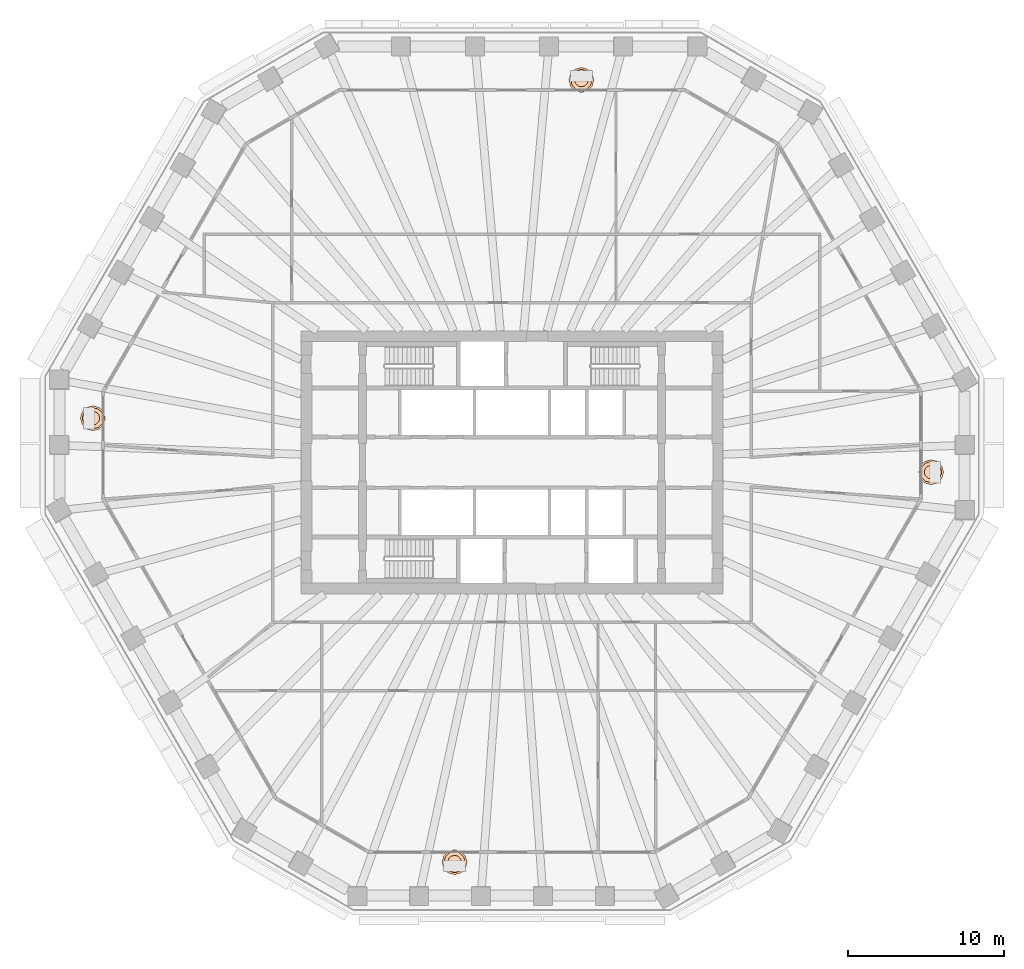
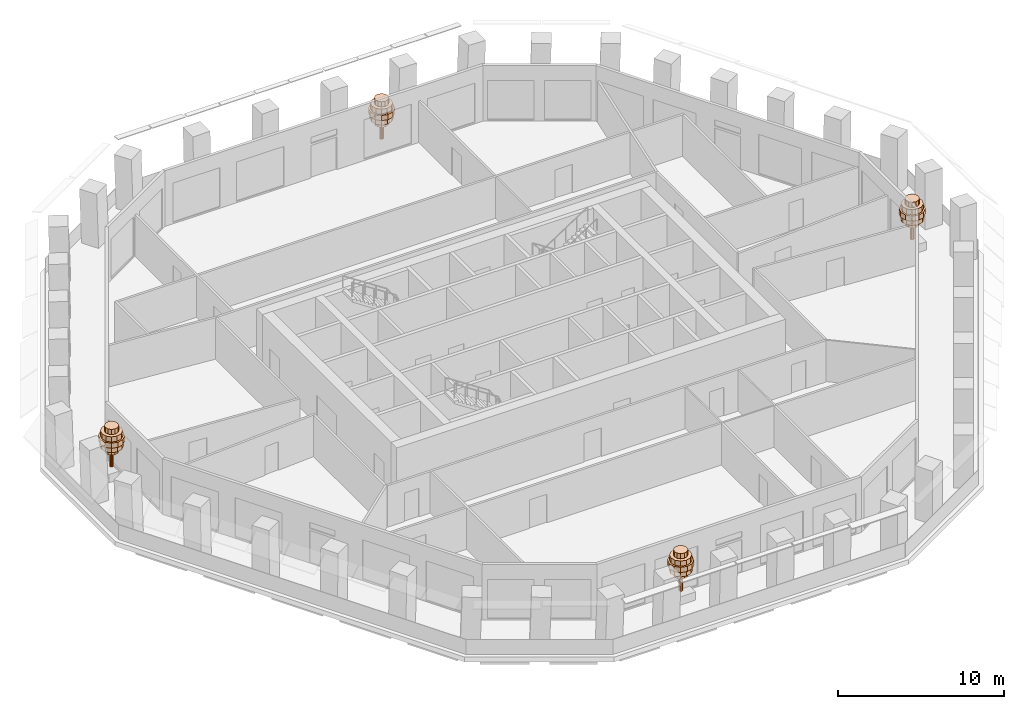
# One storey, part 12 of 12: 4 geographic elements.
"""IFC4 building model written with IfcOpenShell, lengths in metres."""

from ifc_helpers import new_model, si_unit, direction, frame, origin, place, context, subcontext, project, spatial, polyline, outline, extrude, material, type_object, element, save


model = new_model("IFC4")

# Units and contexts
model_context = context("Model", 3, precision=1e-05, world=origin(), true_north=direction((0.0, 1.0)))
body_context = subcontext(model_context, "Body", "Model", "MODEL_VIEW")
ifc_project = project(units=[si_unit("LENGTHUNIT", "METRE"), si_unit("AREAUNIT", "SQUARE_METRE"), si_unit("VOLUMEUNIT", "CUBIC_METRE"), si_unit("PLANEANGLEUNIT", "RADIAN"), si_unit("MASSUNIT", "GRAM", prefix="KILO")], contexts=[model_context])

# Site, building, storey
site_placement = place(None, origin())
site = spatial("IfcSite", under=ifc_project, at=site_placement, CompositionType="ELEMENT")
building_placement = place(site_placement, origin())
building = spatial("IfcBuilding", under=site, at=building_placement, Name="Frailejon Research Tower", CompositionType="ELEMENT")
storey_placement = place(building_placement, frame((0.0, 0.0, 180.39990234375)))
storey = spatial("IfcBuildingStorey", under=building, at=storey_placement, Name="L39", CompositionType="ELEMENT", Elevation=180.39990234375)

# Geographic elements
ifc_material = material(Name="Foliage, green")
geographic_element_type = type_object("IfcGeographicElementType", Name="Frailejon tree, loggia", PredefinedType="USERDEFINED", material=ifc_material)
geographic_element_1_placement = place(storey_placement, frame((26.901611328125, -0.625732421875, 0.60009765625)))
element("IfcGeographicElement", 1, at=geographic_element_1_placement, inside=storey, type_object=geographic_element_type, Name="Tree L39", ObjectType="TREE", PredefinedType="USERDEFINED", context=body_context, shape_type="SweptSolid", body=[
    extrude(outline(polyline([(0.1298828125, 0.0), (0.112548828125, 0.06494140625), (0.06494140625, 0.112548828125), (0.0, 0.1298828125), (-0.06494140625, 0.112548828125), (-0.112548828125, 0.06494140625), (-0.1298828125, 0.0), (-0.112548828125, -0.06494140625), (-0.06494140625, -0.112548828125), (0.0, -0.1298828125), (0.06494140625, -0.112548828125), (0.112548828125, -0.06494140625), (0.1298828125, 0.0)])), origin(), (0.0, 0.0, 1.0), 2.239990234375),
    extrude(outline(polyline([(0.43994140625, 0.0), (0.381103515625, 0.219970703125), (0.219970703125, 0.381103515625), (0.0, 0.43994140625), (-0.219970703125, 0.381103515625), (-0.381103515625, 0.219970703125), (-0.43994140625, 0.0), (-0.381103515625, -0.219970703125), (-0.219970703125, -0.381103515625), (0.0, -0.43994140625), (0.219970703125, -0.381103515625), (0.381103515625, -0.219970703125), (0.43994140625, 0.0)])), frame((0.0, 0.0, 1.10009765625)), (0.0, 0.0, 1.0), 0.3798828125),
    extrude(outline(polyline([(0.719970703125, 0.0), (0.62353515625, 0.360107421875), (0.360107421875, 0.62353515625), (0.0, 0.719970703125), (-0.360107421875, 0.62353515625), (-0.62353515625, 0.360107421875), (-0.719970703125, 0.0), (-0.62353515625, -0.360107421875), (-0.360107421875, -0.62353515625), (0.0, -0.719970703125), (0.360107421875, -0.62353515625), (0.62353515625, -0.360107421875), (0.719970703125, 0.0)])), frame((0.0, 0.0, 1.47998046875)), (0.0, 0.0, 1.0), 0.3798828125),
    extrude(outline(polyline([(0.800048828125, 0.0), (0.69287109375, 0.39990234375), (0.39990234375, 0.69287109375), (0.0, 0.800048828125), (-0.39990234375, 0.69287109375), (-0.69287109375, 0.39990234375), (-0.800048828125, 0.0), (-0.69287109375, -0.39990234375), (-0.39990234375, -0.69287109375), (0.0, -0.800048828125), (0.39990234375, -0.69287109375), (0.69287109375, -0.39990234375), (0.800048828125, 0.0)])), frame((0.0, 0.0, 1.860107421875)), (0.0, 0.0, 1.0), 0.3798828125),
    extrude(outline(polyline([(0.679931640625, 0.0), (0.5888671875, 0.340087890625), (0.340087890625, 0.5888671875), (0.0, 0.679931640625), (-0.340087890625, 0.5888671875), (-0.5888671875, 0.340087890625), (-0.679931640625, 0.0), (-0.5888671875, -0.340087890625), (-0.340087890625, -0.5888671875), (0.0, -0.679931640625), (0.340087890625, -0.5888671875), (0.5888671875, -0.340087890625), (0.679931640625, 0.0)])), frame((0.0, 0.0, 2.239990234375)), (0.0, 0.0, 1.0), 0.3798828125),
    extrude(outline(polyline([(0.43994140625, 0.0), (0.381103515625, 0.219970703125), (0.219970703125, 0.381103515625), (0.0, 0.43994140625), (-0.219970703125, 0.381103515625), (-0.381103515625, 0.219970703125), (-0.43994140625, 0.0), (-0.381103515625, -0.219970703125), (-0.219970703125, -0.381103515625), (0.0, -0.43994140625), (0.219970703125, -0.381103515625), (0.381103515625, -0.219970703125), (0.43994140625, 0.0)])), frame((0.0, 0.0, 2.6201171875)), (0.0, 0.0, 1.0), 0.3798828125),
])
geographic_element_2_placement = place(storey_placement, frame((4.45361328125, 24.550048828125, 0.60009765625)))
element("IfcGeographicElement", 2, at=geographic_element_2_placement, inside=storey, type_object=geographic_element_type, Name="Tree L39", ObjectType="TREE", PredefinedType="USERDEFINED", context=body_context, shape_type="SweptSolid", body=[
    extrude(outline(polyline([(0.1298828125, 0.0), (0.112548828125, 0.06494140625), (0.06494140625, 0.112548828125), (0.0, 0.1298828125), (-0.06494140625, 0.112548828125), (-0.112548828125, 0.06494140625), (-0.1298828125, 0.0), (-0.112548828125, -0.06494140625), (-0.06494140625, -0.112548828125), (0.0, -0.1298828125), (0.06494140625, -0.112548828125), (0.112548828125, -0.06494140625), (0.1298828125, 0.0)])), origin(), (0.0, 0.0, 1.0), 2.239990234375),
    extrude(outline(polyline([(0.43994140625, 0.0), (0.381103515625, 0.219970703125), (0.219970703125, 0.381103515625), (0.0, 0.43994140625), (-0.219970703125, 0.381103515625), (-0.381103515625, 0.219970703125), (-0.43994140625, 0.0), (-0.381103515625, -0.219970703125), (-0.219970703125, -0.381103515625), (0.0, -0.43994140625), (0.219970703125, -0.381103515625), (0.381103515625, -0.219970703125), (0.43994140625, 0.0)])), frame((0.0, 0.0, 1.10009765625)), (0.0, 0.0, 1.0), 0.3798828125),
    extrude(outline(polyline([(0.719970703125, 0.0), (0.62353515625, 0.360107421875), (0.360107421875, 0.62353515625), (0.0, 0.719970703125), (-0.360107421875, 0.62353515625), (-0.62353515625, 0.360107421875), (-0.719970703125, 0.0), (-0.62353515625, -0.360107421875), (-0.360107421875, -0.62353515625), (0.0, -0.719970703125), (0.360107421875, -0.62353515625), (0.62353515625, -0.360107421875), (0.719970703125, 0.0)])), frame((0.0, 0.0, 1.47998046875)), (0.0, 0.0, 1.0), 0.3798828125),
    extrude(outline(polyline([(0.800048828125, 0.0), (0.69287109375, 0.39990234375), (0.39990234375, 0.69287109375), (0.0, 0.800048828125), (-0.39990234375, 0.69287109375), (-0.69287109375, 0.39990234375), (-0.800048828125, 0.0), (-0.69287109375, -0.39990234375), (-0.39990234375, -0.69287109375), (0.0, -0.800048828125), (0.39990234375, -0.69287109375), (0.69287109375, -0.39990234375), (0.800048828125, 0.0)])), frame((0.0, 0.0, 1.860107421875)), (0.0, 0.0, 1.0), 0.3798828125),
    extrude(outline(polyline([(0.679931640625, 0.0), (0.5888671875, 0.340087890625), (0.340087890625, 0.5888671875), (0.0, 0.679931640625), (-0.340087890625, 0.5888671875), (-0.5888671875, 0.340087890625), (-0.679931640625, 0.0), (-0.5888671875, -0.340087890625), (-0.340087890625, -0.5888671875), (0.0, -0.679931640625), (0.340087890625, -0.5888671875), (0.5888671875, -0.340087890625), (0.679931640625, 0.0)])), frame((0.0, 0.0, 2.239990234375)), (0.0, 0.0, 1.0), 0.3798828125),
    extrude(outline(polyline([(0.43994140625, 0.0), (0.381103515625, 0.219970703125), (0.219970703125, 0.381103515625), (0.0, 0.43994140625), (-0.219970703125, 0.381103515625), (-0.381103515625, 0.219970703125), (-0.43994140625, 0.0), (-0.381103515625, -0.219970703125), (-0.219970703125, -0.381103515625), (0.0, -0.43994140625), (0.219970703125, -0.381103515625), (0.381103515625, -0.219970703125), (0.43994140625, 0.0)])), frame((0.0, 0.0, 2.6201171875)), (0.0, 0.0, 1.0), 0.3798828125),
])
geographic_element_3_placement = place(storey_placement, frame((-26.901611328125, 2.83837890625, 0.60009765625)))
element("IfcGeographicElement", 3, at=geographic_element_3_placement, inside=storey, type_object=geographic_element_type, Name="Tree L39", ObjectType="TREE", PredefinedType="USERDEFINED", context=body_context, shape_type="SweptSolid", body=[
    extrude(outline(polyline([(0.1298828125, 0.0), (0.112548828125, 0.06494140625), (0.06494140625, 0.112548828125), (0.0, 0.1298828125), (-0.06494140625, 0.112548828125), (-0.112548828125, 0.06494140625), (-0.1298828125, 0.0), (-0.112548828125, -0.06494140625), (-0.06494140625, -0.112548828125), (0.0, -0.1298828125), (0.06494140625, -0.112548828125), (0.112548828125, -0.06494140625), (0.1298828125, 0.0)])), origin(), (0.0, 0.0, 1.0), 2.239990234375),
    extrude(outline(polyline([(0.43994140625, 0.0), (0.381103515625, 0.219970703125), (0.219970703125, 0.381103515625), (0.0, 0.43994140625), (-0.219970703125, 0.381103515625), (-0.381103515625, 0.219970703125), (-0.43994140625, 0.0), (-0.381103515625, -0.219970703125), (-0.219970703125, -0.381103515625), (0.0, -0.43994140625), (0.219970703125, -0.381103515625), (0.381103515625, -0.219970703125), (0.43994140625, 0.0)])), frame((0.0, 0.0, 1.10009765625)), (0.0, 0.0, 1.0), 0.3798828125),
    extrude(outline(polyline([(0.719970703125, 0.0), (0.62353515625, 0.360107421875), (0.360107421875, 0.62353515625), (0.0, 0.719970703125), (-0.360107421875, 0.62353515625), (-0.62353515625, 0.360107421875), (-0.719970703125, 0.0), (-0.62353515625, -0.360107421875), (-0.360107421875, -0.62353515625), (0.0, -0.719970703125), (0.360107421875, -0.62353515625), (0.62353515625, -0.360107421875), (0.719970703125, 0.0)])), frame((0.0, 0.0, 1.47998046875)), (0.0, 0.0, 1.0), 0.3798828125),
    extrude(outline(polyline([(0.800048828125, 0.0), (0.69287109375, 0.39990234375), (0.39990234375, 0.69287109375), (0.0, 0.800048828125), (-0.39990234375, 0.69287109375), (-0.69287109375, 0.39990234375), (-0.800048828125, 0.0), (-0.69287109375, -0.39990234375), (-0.39990234375, -0.69287109375), (0.0, -0.800048828125), (0.39990234375, -0.69287109375), (0.69287109375, -0.39990234375), (0.800048828125, 0.0)])), frame((0.0, 0.0, 1.860107421875)), (0.0, 0.0, 1.0), 0.3798828125),
    extrude(outline(polyline([(0.679931640625, 0.0), (0.5888671875, 0.340087890625), (0.340087890625, 0.5888671875), (0.0, 0.679931640625), (-0.340087890625, 0.5888671875), (-0.5888671875, 0.340087890625), (-0.679931640625, 0.0), (-0.5888671875, -0.340087890625), (-0.340087890625, -0.5888671875), (0.0, -0.679931640625), (0.340087890625, -0.5888671875), (0.5888671875, -0.340087890625), (0.679931640625, 0.0)])), frame((0.0, 0.0, 2.239990234375)), (0.0, 0.0, 1.0), 0.3798828125),
    extrude(outline(polyline([(0.43994140625, 0.0), (0.381103515625, 0.219970703125), (0.219970703125, 0.381103515625), (0.0, 0.43994140625), (-0.219970703125, 0.381103515625), (-0.381103515625, 0.219970703125), (-0.43994140625, 0.0), (-0.381103515625, -0.219970703125), (-0.219970703125, -0.381103515625), (0.0, -0.43994140625), (0.219970703125, -0.381103515625), (0.381103515625, -0.219970703125), (0.43994140625, 0.0)])), frame((0.0, 0.0, 2.6201171875)), (0.0, 0.0, 1.0), 0.3798828125),
])
geographic_element_4_placement = place(storey_placement, frame((-3.68701171875, -25.65625, 0.60009765625)))
element("IfcGeographicElement", 4, at=geographic_element_4_placement, inside=storey, type_object=geographic_element_type, Name="Tree L39", ObjectType="TREE", PredefinedType="USERDEFINED", context=body_context, shape_type="SweptSolid", body=[
    extrude(outline(polyline([(0.1298828125, 0.0), (0.112548828125, 0.06494140625), (0.06494140625, 0.112548828125), (0.0, 0.1298828125), (-0.06494140625, 0.112548828125), (-0.112548828125, 0.06494140625), (-0.1298828125, 0.0), (-0.112548828125, -0.06494140625), (-0.06494140625, -0.112548828125), (0.0, -0.1298828125), (0.06494140625, -0.112548828125), (0.112548828125, -0.06494140625), (0.1298828125, 0.0)])), origin(), (0.0, 0.0, 1.0), 2.239990234375),
    extrude(outline(polyline([(0.43994140625, 0.0), (0.381103515625, 0.219970703125), (0.219970703125, 0.381103515625), (0.0, 0.43994140625), (-0.219970703125, 0.381103515625), (-0.381103515625, 0.219970703125), (-0.43994140625, 0.0), (-0.381103515625, -0.219970703125), (-0.219970703125, -0.381103515625), (0.0, -0.43994140625), (0.219970703125, -0.381103515625), (0.381103515625, -0.219970703125), (0.43994140625, 0.0)])), frame((0.0, 0.0, 1.10009765625)), (0.0, 0.0, 1.0), 0.3798828125),
    extrude(outline(polyline([(0.719970703125, 0.0), (0.62353515625, 0.360107421875), (0.360107421875, 0.62353515625), (0.0, 0.719970703125), (-0.360107421875, 0.62353515625), (-0.62353515625, 0.360107421875), (-0.719970703125, 0.0), (-0.62353515625, -0.360107421875), (-0.360107421875, -0.62353515625), (0.0, -0.719970703125), (0.360107421875, -0.62353515625), (0.62353515625, -0.360107421875), (0.719970703125, 0.0)])), frame((0.0, 0.0, 1.47998046875)), (0.0, 0.0, 1.0), 0.3798828125),
    extrude(outline(polyline([(0.800048828125, 0.0), (0.69287109375, 0.39990234375), (0.39990234375, 0.69287109375), (0.0, 0.800048828125), (-0.39990234375, 0.69287109375), (-0.69287109375, 0.39990234375), (-0.800048828125, 0.0), (-0.69287109375, -0.39990234375), (-0.39990234375, -0.69287109375), (0.0, -0.800048828125), (0.39990234375, -0.69287109375), (0.69287109375, -0.39990234375), (0.800048828125, 0.0)])), frame((0.0, 0.0, 1.860107421875)), (0.0, 0.0, 1.0), 0.3798828125),
    extrude(outline(polyline([(0.679931640625, 0.0), (0.5888671875, 0.340087890625), (0.340087890625, 0.5888671875), (0.0, 0.679931640625), (-0.340087890625, 0.5888671875), (-0.5888671875, 0.340087890625), (-0.679931640625, 0.0), (-0.5888671875, -0.340087890625), (-0.340087890625, -0.5888671875), (0.0, -0.679931640625), (0.340087890625, -0.5888671875), (0.5888671875, -0.340087890625), (0.679931640625, 0.0)])), frame((0.0, 0.0, 2.239990234375)), (0.0, 0.0, 1.0), 0.3798828125),
    extrude(outline(polyline([(0.43994140625, 0.0), (0.381103515625, 0.219970703125), (0.219970703125, 0.381103515625), (0.0, 0.43994140625), (-0.219970703125, 0.381103515625), (-0.381103515625, 0.219970703125), (-0.43994140625, 0.0), (-0.381103515625, -0.219970703125), (-0.219970703125, -0.381103515625), (0.0, -0.43994140625), (0.219970703125, -0.381103515625), (0.381103515625, -0.219970703125), (0.43994140625, 0.0)])), frame((0.0, 0.0, 2.6201171875)), (0.0, 0.0, 1.0), 0.3798828125),
])

save(model, "model.ifc")
